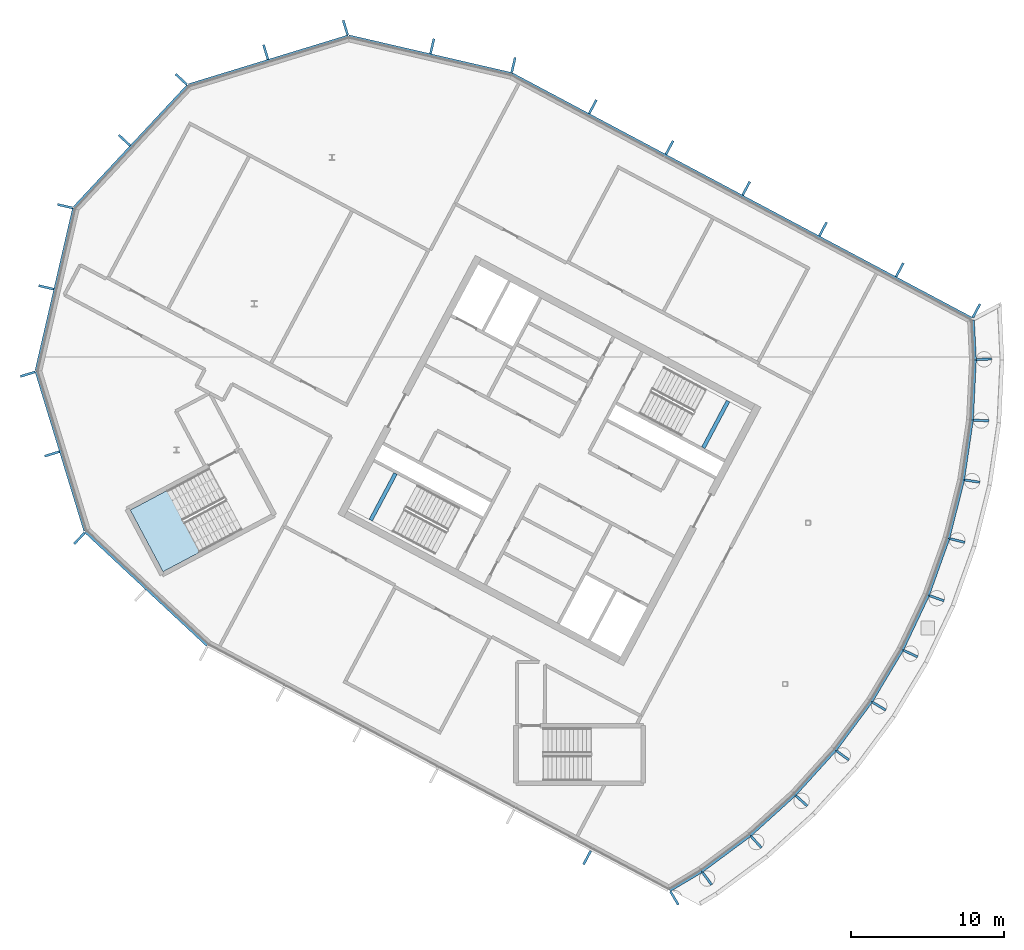
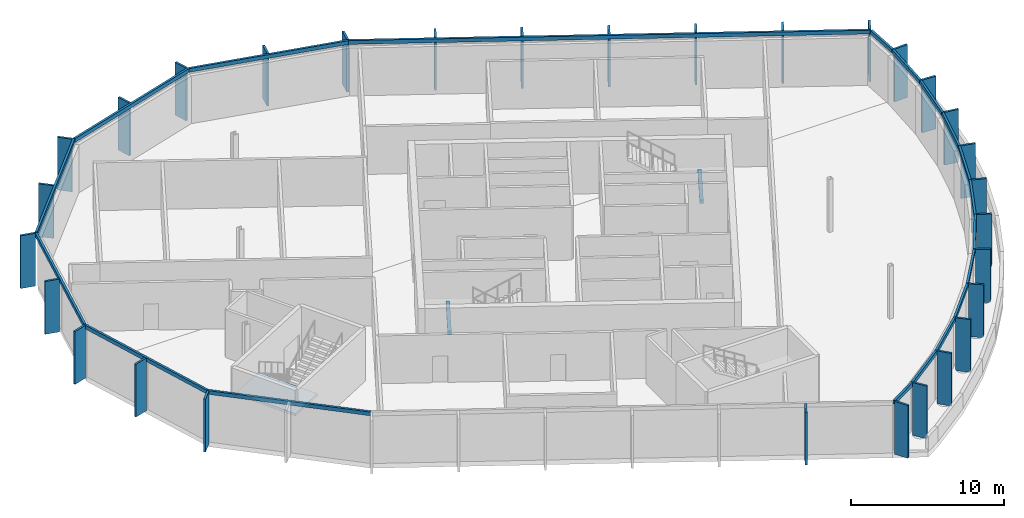
# One storey, part 4 of 16: 49 members, 2 beams, 1 slab, 21 elements without a shape of their own.
"""IFC4 building model written with IfcOpenShell, lengths in metres."""

import ifcopenshell
import ifcopenshell.guid

model = None  # the IFC model being written
_history = None  # IfcOwnerHistory: only IFC2X3 demands one
_inside = {}  # id of a spatial element -> (the spatial element, [elements in it])
_under = {}  # id of a project, library or spatial element -> (it, [spatial elements below it])
_declared = {}  # id of a project -> (the project, [libraries it declares])
_typed = {}  # id of a type object -> (the type object, [elements of that type])
_made_of = {}  # id of a material, layer set ... -> (it, [elements and type objects made of it])


def new_model(schema):
    """Start an empty IFC model of exactly this schema.

    Asked for "IFC4X3", IfcOpenShell would pick the latest addendum, in which some entities
    have other attributes; the version numbers below select the first issue.
    IFC2X3 requires an IfcOwnerHistory on every rooted entity: one is made here for all.
    """
    global model, _history
    if schema == "IFC4X3":
        model = ifcopenshell.file(schema_version=(4, 3, 0, 0))
    else:
        model = ifcopenshell.file(schema=schema)
    _inside.clear()
    _under.clear()
    _declared.clear()
    _typed.clear()
    _made_of.clear()
    _history = None
    if model.schema == "IFC2X3":
        org = make("IfcOrganization", Name="unknown")
        user = make(
            "IfcPersonAndOrganization",
            ThePerson=make("IfcPerson", FamilyName="unknown"),
            TheOrganization=org,
        )
        app = make(
            "IfcApplication",
            ApplicationDeveloper=org,
            Version="unknown",
            ApplicationFullName="unknown",
            ApplicationIdentifier="unknown",
        )
        _history = make(
            "IfcOwnerHistory",
            OwningUser=user,
            OwningApplication=app,
            ChangeAction="ADDED",
            CreationDate=0,
        )
    return model


def make(cls, **values):
    """One entity of the class cls with the attributes given. An attribute that is None is left unset."""
    return model.create_entity(
        cls, **{name: value for name, value in values.items() if value is not None}
    )


def rooted(cls, **values):
    """An entity with a GlobalId (a new one), such as an element, a storey or a relation."""
    return make(cls, GlobalId=ifcopenshell.guid.new(), OwnerHistory=_history, **values)


def si_unit(unit_type, name, prefix=None):
    """IfcSIUnit, for example si_unit("LENGTHUNIT", "METRE", prefix="MILLI")."""
    return make("IfcSIUnit", UnitType=unit_type, Prefix=prefix, Name=name)


def assignment(units):
    """IfcUnitAssignment: the units of a project."""
    return None if units is None else make("IfcUnitAssignment", Units=units)


def point(xyz):
    """IfcCartesianPoint."""
    return None if xyz is None else make("IfcCartesianPoint", Coordinates=xyz)


def direction(xyz):
    """IfcDirection."""
    return None if xyz is None else make("IfcDirection", DirectionRatios=xyz)


def frame(location, z_axis=None, x_axis=None):
    """IfcAxis2Placement3D, a coordinate frame: its origin and axes. An axis left out is left unset."""
    return make(
        "IfcAxis2Placement3D",
        Location=point(location),
        Axis=direction(z_axis),
        RefDirection=direction(x_axis),
    )


def frame_2d(location, x_axis=None):
    """IfcAxis2Placement2D, a coordinate frame in the plane: its origin and x axis."""
    return make(
        "IfcAxis2Placement2D", Location=point(location), RefDirection=direction(x_axis)
    )


def origin():
    """The frame at (0, 0, 0) with its axes left unset."""
    return frame((0.0, 0.0, 0.0))


def origin_2d():
    """The frame at (0, 0) in the plane with its x axis left unset."""
    return frame_2d((0.0, 0.0))


def place(relative_to, where):
    """IfcLocalPlacement: puts the frame where relative to a parent placement (None: the world)."""
    return make(
        "IfcLocalPlacement", PlacementRelTo=relative_to, RelativePlacement=where
    )


def context(
    kind, dimensions, precision=None, world=None, true_north=None, identifier=None
):
    """IfcGeometricRepresentationContext, for example the 3D "Model" context."""
    return make(
        "IfcGeometricRepresentationContext",
        ContextIdentifier=identifier,
        ContextType=kind,
        CoordinateSpaceDimension=dimensions,
        Precision=precision,
        WorldCoordinateSystem=world,
        TrueNorth=true_north,
    )


def subcontext(parent, identifier, kind, view, scale=None):
    """IfcGeometricRepresentationSubContext, for example "Body" below "Model"."""
    return make(
        "IfcGeometricRepresentationSubContext",
        ContextIdentifier=identifier,
        ContextType=kind,
        ParentContext=parent,
        TargetScale=scale,
        TargetView=view,
    )


def project(units=None, contexts=None):
    """IfcProject with its units and contexts."""
    return rooted(
        "IfcProject",
        Name="project",
        RepresentationContexts=contexts,
        UnitsInContext=assignment(units),
    )


def spatial(cls, under=None, at=None, **own):
    """A site, building, storey or space (cls), placed at a placement, below another one or the project."""
    s = rooted(cls, ObjectPlacement=at, **own)
    if under is not None:
        _under.setdefault(under.id(), (under, []))[1].append(s)
    return s


def polyline(points):
    """IfcPolyline through the points."""
    return make("IfcPolyline", Points=[point(p) for p in points])


def profile(cls, at=None, kind="AREA", **sizes):
    """A parametric profile (cls). Its sizes go by their IFC names, for example OverallWidth=200.0."""
    return make(cls, ProfileType=kind, Position=at, **sizes)


def rectangle(**sizes):
    """IfcRectangleProfileDef."""
    return profile("IfcRectangleProfileDef", **sizes)


def outline(outer, holes=None, kind="AREA"):
    """IfcArbitraryClosedProfileDef: a profile drawn as a closed curve; with holes, ...WithVoids."""
    if holes is None:
        return make("IfcArbitraryClosedProfileDef", ProfileType=kind, OuterCurve=outer)
    return make(
        "IfcArbitraryProfileDefWithVoids",
        ProfileType=kind,
        OuterCurve=outer,
        InnerCurves=holes,
    )


def extrude(swept, where, along, depth):
    """IfcExtrudedAreaSolid: the profile swept, set in the frame where, extruded along a direction by depth."""
    return make(
        "IfcExtrudedAreaSolid",
        SweptArea=swept,
        Position=where,
        ExtrudedDirection=direction(along),
        Depth=depth,
    )


def shape(context_of_items, identifier, shape_type, items):
    """IfcShapeRepresentation: the items that make up one representation, for example the "Body"."""
    return make(
        "IfcShapeRepresentation",
        ContextOfItems=context_of_items,
        RepresentationIdentifier=identifier,
        RepresentationType=shape_type,
        Items=items,
    )


def material(Name=None, Category=None):
    """IfcMaterial."""
    return make("IfcMaterial", Name=Name, Category=Category)


def layer(
    of_material, thickness, ventilated=None, Name=None, Category=None, Priority=None
):
    """IfcMaterialLayer: one layer of a wall or slab, of a material (None: an air gap)."""
    return make(
        "IfcMaterialLayer",
        Material=of_material,
        LayerThickness=thickness,
        IsVentilated=ventilated,
        Name=Name,
        Category=Category,
        Priority=Priority,
    )


def layer_set(layers, Name=None):
    """IfcMaterialLayerSet."""
    return make("IfcMaterialLayerSet", MaterialLayers=layers, LayerSetName=Name)


def material_profile(
    of_material, cross_section, Name=None, Category=None, Priority=None
):
    """IfcMaterialProfile: a cross section and its material."""
    return make(
        "IfcMaterialProfile",
        Name=Name,
        Material=of_material,
        Profile=cross_section,
        Priority=Priority,
        Category=Category,
    )


def profile_set(profiles, Name=None, composite=None):
    """IfcMaterialProfileSet."""
    return make(
        "IfcMaterialProfileSet",
        Name=Name,
        MaterialProfiles=profiles,
        CompositeProfile=composite,
    )


def made_of(thing, what):
    """Note that an element or type object is made of a material, layer set ...; save() writes the relation."""
    if what is not None:
        _made_of.setdefault(what.id(), (what, []))[1].append(thing)
    return thing


def type_object(cls, material=None, **own):
    """A type object (cls), such as IfcWallType, which elements share."""
    return made_of(rooted(cls, **own), material)


def element(
    cls,
    number,
    at=None,
    inside=None,
    cuts=None,
    type_object=None,
    material=None,
    context=None,
    identifier="Body",
    shape_type=None,
    held_by="IfcProductDefinitionShape",
    body=None,
    shapes=None,
    **own,
):
    """One element of the class cls, such as IfcWall. Its Tag is "e" and its number.

    at: its placement. inside: the storey or other place that contains it. cuts: it is an
    opening in that element (IfcRelVoidsElement). A single representation is given by context,
    identifier, shape_type and body (its items); several are given by shapes. held_by: the class
    of the entity that holds the representations. save() writes the other relations.
    """
    e = rooted(cls, Tag="e%d" % number, ObjectPlacement=at, **own)
    if body is not None:
        shapes = [shape(context, identifier, shape_type, body)]
    if shapes is not None:
        e.Representation = make(held_by, Representations=shapes)
    if inside is not None:
        _inside.setdefault(inside.id(), (inside, []))[1].append(e)
    if cuts is not None:
        rooted(
            "IfcRelVoidsElement", RelatingBuildingElement=cuts, RelatedOpeningElement=e
        )
    if type_object is not None:
        _typed.setdefault(type_object.id(), (type_object, []))[1].append(e)
    return made_of(e, material)


def aggregate(whole, parts):
    """IfcRelAggregates: a whole, such as a stair, and the parts it consists of."""
    return rooted("IfcRelAggregates", RelatingObject=whole, RelatedObjects=parts)


def save(model, path):
    """Write the relations noted so far, then the file.

    IfcRelAggregates (storeys below a building ...), IfcRelContainedInSpatialStructure (elements
    in a storey), IfcRelDefinesByType, IfcRelAssociatesMaterial and IfcRelDeclares: one each for
    every whole, place, type object, material and project.
    """
    for whole, parts in _under.values():
        aggregate(whole, parts)
    for where, things in _inside.values():
        rooted(
            "IfcRelContainedInSpatialStructure",
            RelatedElements=things,
            RelatingStructure=where,
        )
    for kind, things in _typed.values():
        rooted("IfcRelDefinesByType", RelatedObjects=things, RelatingType=kind)
    for what, things in _made_of.values():
        rooted("IfcRelAssociatesMaterial", RelatedObjects=things, RelatingMaterial=what)
    for by, libraries in _declared.values():
        rooted("IfcRelDeclares", RelatingContext=by, RelatedDefinitions=libraries)
    model.write(path)


model = new_model("IFC4")

# Units and contexts
model_context = context("Model", 3, precision=1e-05, world=origin(), true_north=direction((0.0, 1.0)))
body_context = subcontext(model_context, "Body", "Model", "MODEL_VIEW")
ifc_project = project(units=[si_unit("LENGTHUNIT", "METRE"), si_unit("AREAUNIT", "SQUARE_METRE"), si_unit("VOLUMEUNIT", "CUBIC_METRE"), si_unit("PLANEANGLEUNIT", "RADIAN"), si_unit("MASSUNIT", "GRAM", prefix="KILO")], contexts=[model_context])

# Site, building, storey
site_placement = place(None, origin())
site = spatial("IfcSite", under=ifc_project, at=site_placement, CompositionType="ELEMENT")
building_placement = place(site_placement, origin())
building = spatial("IfcBuilding", under=site, at=building_placement, Name="Cormorant Relay Tower", CompositionType="ELEMENT")
storey_placement = place(building_placement, frame((0.0, 0.0, 340.800048828125)))
storey = spatial("IfcBuildingStorey", under=building, at=storey_placement, Name="C4", CompositionType="ELEMENT", Elevation=340.800048828125)

# Curtain wall, member
ifc_material_1 = material(Name="Aluminium 6063-T6 anodised bronze", Category="aluminium")
ifc_layer_1 = layer(ifc_material_1, 0.199951171875)
ifc_layer_set_1 = layer_set([ifc_layer_1], Name="CW3 crown screen wall")
curtain_wall_type = type_object("IfcCurtainWallType", Name="CW3 crown screen wall", PredefinedType="NOTDEFINED", material=ifc_layer_set_1)
curtain_wall_1_placement = place(storey_placement, origin())
curtain_wall_1 = element("IfcCurtainWall", 1, at=curtain_wall_1_placement, inside=storey, type_object=curtain_wall_type, Name="CW3 curtain wall 1", PredefinedType="NOTDEFINED")
ifc_material_2 = material(Name="Aluminium 6063-T6 anodised bronze", Category="aluminium")
ifc_material_profile_1 = material_profile(ifc_material_2, rectangle(XDim=0.14990234375, YDim=1.0, at=origin_2d()), Name="AL 150x1000")
ifc_profile_set_1 = profile_set([ifc_material_profile_1], Name="Aluminium 6063-T6 anodised bronze")
member_type_1 = type_object("IfcMemberType", Name="CW3 bronze fin mullion 150 x 1000", PredefinedType="MULLION", material=ifc_profile_set_1)
member_1_placement = place(storey_placement, frame((-24.910400390625, -11.331787109375, 0.0), z_axis=(0.0, 0.0, 1.0), x_axis=(0.882947592859, -0.469471562786, 0.0)))
member_1 = element("IfcMember", 2, at=member_1_placement, type_object=member_type_1, Name="CW3 fin 1.6", PredefinedType="MULLION", context=body_context, shape_type="SweptSolid", body=[
    extrude(rectangle(XDim=0.14990234375, YDim=1.0, at=origin_2d()), origin(), (0.0, 0.0, 1.0), 4.199951171875),
])
aggregate(curtain_wall_1, [member_1])

curtain_wall_2_placement = place(storey_placement, origin())
curtain_wall_2 = element("IfcCurtainWall", 3, at=curtain_wall_2_placement, inside=storey, type_object=curtain_wall_type, Name="CW3 curtain wall 2", PredefinedType="NOTDEFINED")
member_2_placement = place(storey_placement, frame((-19.219970703125, -13.9736328125, 0.0), z_axis=(0.0, 0.0, 1.0), x_axis=(0.85772861, 0.514102744193, 0.0)))
member_2 = element("IfcMember", 4, at=member_2_placement, type_object=member_type_1, Name="CW3 fin 2.1", PredefinedType="MULLION", context=body_context, shape_type="SweptSolid", body=[
    extrude(rectangle(XDim=0.14990234375, YDim=1.0, at=origin_2d()), origin(), (0.0, 0.0, 1.0), 4.199951171875),
])

curtain_wall_3_placement = place(storey_placement, origin())
curtain_wall_3 = element("IfcCurtainWall", 5, at=curtain_wall_3_placement, inside=storey, type_object=curtain_wall_type, Name="CW3 curtain wall 3", PredefinedType="NOTDEFINED")
member_3_placement = place(storey_placement, frame((-17.0927734375, -12.69482421875, 0.0), z_axis=(0.0, 0.0, 1.0), x_axis=(0.803207531481, 0.595699304492, 0.0)))
member_3 = element("IfcMember", 6, at=member_3_placement, type_object=member_type_1, Name="CW3 fin 3.1", PredefinedType="MULLION", context=body_context, shape_type="SweptSolid", body=[
    extrude(rectangle(XDim=0.14990234375, YDim=1.0, at=origin_2d()), origin(), (0.0, 0.0, 1.0), 4.199951171875),
])

curtain_wall_4_placement = place(storey_placement, origin())
curtain_wall_4 = element("IfcCurtainWall", 7, at=curtain_wall_4_placement, inside=storey, type_object=curtain_wall_type, Name="CW3 curtain wall 4", PredefinedType="NOTDEFINED")
member_4_placement = place(storey_placement, frame((-13.88671875, -10.31298828125, 0.0), z_axis=(0.0, 0.0, 1.0), x_axis=(0.740951125355, 0.671558954847, 0.0)))
member_4 = element("IfcMember", 8, at=member_4_placement, type_object=member_type_1, Name="CW3 fin 4.1", PredefinedType="MULLION", context=body_context, shape_type="SweptSolid", body=[
    extrude(rectangle(XDim=0.14990234375, YDim=1.0, at=origin_2d()), origin(), (0.0, 0.0, 1.0), 4.199951171875),
])

curtain_wall_5_placement = place(storey_placement, origin())
curtain_wall_5 = element("IfcCurtainWall", 9, at=curtain_wall_5_placement, inside=storey, type_object=curtain_wall_type, Name="CW3 curtain wall 5", PredefinedType="NOTDEFINED")
member_5_placement = place(storey_placement, frame((-10.9296875, -7.628173828125, 0.0), z_axis=(0.0, 0.0, 1.0), x_axis=(0.671558954847, 0.740951125355, 0.0)))
member_5 = element("IfcMember", 10, at=member_5_placement, type_object=member_type_1, Name="CW3 fin 5.1", PredefinedType="MULLION", context=body_context, shape_type="SweptSolid", body=[
    extrude(rectangle(XDim=0.14990234375, YDim=1.0, at=origin_2d()), origin(), (0.0, 0.0, 1.0), 4.199951171875),
])

curtain_wall_6_placement = place(storey_placement, origin())
curtain_wall_6 = element("IfcCurtainWall", 11, at=curtain_wall_6_placement, inside=storey, type_object=curtain_wall_type, Name="CW3 curtain wall 6", PredefinedType="NOTDEFINED")
member_6_placement = place(storey_placement, frame((-8.25, -4.66650390625, 0.0), z_axis=(0.0, 0.0, 1.0), x_axis=(0.595699304492, 0.803207531481, 0.0)))
member_6 = element("IfcMember", 12, at=member_6_placement, type_object=member_type_1, Name="CW3 fin 6.1", PredefinedType="MULLION", context=body_context, shape_type="SweptSolid", body=[
    extrude(rectangle(XDim=0.14990234375, YDim=1.0, at=origin_2d()), origin(), (0.0, 0.0, 1.0), 4.199951171875),
])

curtain_wall_7_placement = place(storey_placement, origin())
curtain_wall_7 = element("IfcCurtainWall", 13, at=curtain_wall_7_placement, inside=storey, type_object=curtain_wall_type, Name="CW3 curtain wall 7", PredefinedType="NOTDEFINED")
member_7_placement = place(storey_placement, frame((-5.873291015625, -1.45654296875, 0.0), z_axis=(0.0, 0.0, 1.0), x_axis=(0.514102744193, 0.85772861, 0.0)))
member_7 = element("IfcMember", 14, at=member_7_placement, type_object=member_type_1, Name="CW3 fin 7.1", PredefinedType="MULLION", context=body_context, shape_type="SweptSolid", body=[
    extrude(rectangle(XDim=0.14990234375, YDim=1.0, at=origin_2d()), origin(), (0.0, 0.0, 1.0), 4.199951171875),
])

curtain_wall_8_placement = place(storey_placement, origin())
curtain_wall_8 = element("IfcCurtainWall", 15, at=curtain_wall_8_placement, inside=storey, type_object=curtain_wall_type, Name="CW3 curtain wall 8", PredefinedType="NOTDEFINED")
member_8_placement = place(storey_placement, frame((-3.822998046875, 1.97119140625, 0.0), z_axis=(0.0, 0.0, 1.0), x_axis=(0.42755509343, 0.903989293123, 0.0)))
member_8 = element("IfcMember", 16, at=member_8_placement, type_object=member_type_1, Name="CW3 fin 8.1", PredefinedType="MULLION", context=body_context, shape_type="SweptSolid", body=[
    extrude(rectangle(XDim=0.14990234375, YDim=1.0, at=origin_2d()), origin(), (0.0, 0.0, 1.0), 4.199951171875),
])

curtain_wall_9_placement = place(storey_placement, origin())
curtain_wall_9 = element("IfcCurtainWall", 17, at=curtain_wall_9_placement, inside=storey, type_object=curtain_wall_type, Name="CW3 curtain wall 9", PredefinedType="NOTDEFINED")
member_9_placement = place(storey_placement, frame((-2.118408203125, 5.5830078125, 0.0), z_axis=(0.0, 0.0, 1.0), x_axis=(0.336889853392, 0.941544065183, 0.0)))
member_9 = element("IfcMember", 18, at=member_9_placement, type_object=member_type_1, Name="CW3 fin 9.1", PredefinedType="MULLION", context=body_context, shape_type="SweptSolid", body=[
    extrude(rectangle(XDim=0.14990234375, YDim=1.0, at=origin_2d()), origin(), (0.0, 0.0, 1.0), 4.199951171875),
])

curtain_wall_10_placement = place(storey_placement, origin())
curtain_wall_10 = element("IfcCurtainWall", 19, at=curtain_wall_10_placement, inside=storey, type_object=curtain_wall_type, Name="CW3 curtain wall 10", PredefinedType="NOTDEFINED")
member_10_placement = place(storey_placement, frame((-0.77587890625, 9.3447265625, 0.0), z_axis=(0.0, 0.0, 1.0), x_axis=(0.242980179903, 0.970031253195, 0.0)))
member_10 = element("IfcMember", 20, at=member_10_placement, type_object=member_type_1, Name="CW3 fin 10.1", PredefinedType="MULLION", context=body_context, shape_type="SweptSolid", body=[
    extrude(rectangle(XDim=0.14990234375, YDim=1.0, at=origin_2d()), origin(), (0.0, 0.0, 1.0), 4.199951171875),
])

curtain_wall_11_placement = place(storey_placement, origin())
curtain_wall_11 = element("IfcCurtainWall", 21, at=curtain_wall_11_placement, inside=storey, type_object=curtain_wall_type, Name="CW3 curtain wall 11", PredefinedType="NOTDEFINED")
member_11_placement = place(storey_placement, frame((0.191162109375, 13.219970703125, 0.0), z_axis=(0.0, 0.0, 1.0), x_axis=(0.146730474455, 0.989176509965, 0.0)))
member_11 = element("IfcMember", 22, at=member_11_placement, type_object=member_type_1, Name="CW3 fin 11.1", PredefinedType="MULLION", context=body_context, shape_type="SweptSolid", body=[
    extrude(rectangle(XDim=0.14990234375, YDim=1.0, at=origin_2d()), origin(), (0.0, 0.0, 1.0), 4.199951171875),
])

curtain_wall_12_placement = place(storey_placement, origin())
curtain_wall_12 = element("IfcCurtainWall", 23, at=curtain_wall_12_placement, inside=storey, type_object=curtain_wall_type, Name="CW3 curtain wall 12", PredefinedType="NOTDEFINED")
member_12_placement = place(storey_placement, frame((0.77392578125, 17.171142578125, 0.0), z_axis=(0.0, 0.0, 1.0), x_axis=(0.049067674327, 0.998795456205, 0.0)))
member_12 = element("IfcMember", 24, at=member_12_placement, type_object=member_type_1, Name="CW3 fin 12.1", PredefinedType="MULLION", context=body_context, shape_type="SweptSolid", body=[
    extrude(rectangle(XDim=0.14990234375, YDim=1.0, at=origin_2d()), origin(), (0.0, 0.0, 1.0), 4.199951171875),
])

curtain_wall_13_placement = place(storey_placement, origin())
curtain_wall_13 = element("IfcCurtainWall", 25, at=curtain_wall_13_placement, inside=storey, type_object=curtain_wall_type, Name="CW3 curtain wall 13", PredefinedType="NOTDEFINED")
member_13_placement = place(storey_placement, frame((0.966552734375, 21.16064453125, 0.0), z_axis=(0.0, 0.0, 1.0), x_axis=(-0.049067674327, 0.998795456205, 0.0)))
member_13 = element("IfcMember", 26, at=member_13_placement, type_object=member_type_1, Name="CW3 fin 13.1", PredefinedType="MULLION", context=body_context, shape_type="SweptSolid", body=[
    extrude(rectangle(XDim=0.14990234375, YDim=1.0, at=origin_2d()), origin(), (0.0, 0.0, 1.0), 4.199951171875),
])

# Curtain wall, members
curtain_wall_14_placement = place(storey_placement, origin())
curtain_wall_14 = element("IfcCurtainWall", 27, at=curtain_wall_14_placement, inside=storey, type_object=curtain_wall_type, Name="CW3 curtain wall 14", PredefinedType="NOTDEFINED")
member_14_placement = place(storey_placement, frame((0.468994140625, 24.327392578125, 0.0), z_axis=(0.0, 0.0, 1.0), x_axis=(-0.882947592859, 0.469471562786, 0.0)))
member_14 = element("IfcMember", 28, at=member_14_placement, type_object=member_type_1, Name="CW3 fin 14.1", PredefinedType="MULLION", context=body_context, shape_type="SweptSolid", body=[
    extrude(rectangle(XDim=0.14990234375, YDim=1.0, at=origin_2d()), origin(), (0.0, 0.0, 1.0), 4.199951171875),
])
member_15_placement = place(storey_placement, frame((-4.533203125, 26.9873046875, 0.0), z_axis=(0.0, 0.0, 1.0), x_axis=(-0.882947592859, 0.469471562786, 0.0)))
member_15 = element("IfcMember", 29, at=member_15_placement, type_object=member_type_1, Name="CW3 fin 14.2", PredefinedType="MULLION", context=body_context, shape_type="SweptSolid", body=[
    extrude(rectangle(XDim=0.14990234375, YDim=1.0, at=origin_2d()), origin(), (0.0, 0.0, 1.0), 4.199951171875),
])
member_16_placement = place(storey_placement, frame((-9.53564453125, 29.64697265625, 0.0), z_axis=(0.0, 0.0, 1.0), x_axis=(-0.882947592859, 0.469471562786, 0.0)))
member_16 = element("IfcMember", 30, at=member_16_placement, type_object=member_type_1, Name="CW3 fin 14.3", PredefinedType="MULLION", context=body_context, shape_type="SweptSolid", body=[
    extrude(rectangle(XDim=0.14990234375, YDim=1.0, at=origin_2d()), origin(), (0.0, 0.0, 1.0), 4.199951171875),
])
member_17_placement = place(storey_placement, frame((-14.5380859375, 32.306884765625, 0.0), z_axis=(0.0, 0.0, 1.0), x_axis=(-0.882947592859, 0.469471562786, 0.0)))
member_17 = element("IfcMember", 31, at=member_17_placement, type_object=member_type_1, Name="CW3 fin 14.4", PredefinedType="MULLION", context=body_context, shape_type="SweptSolid", body=[
    extrude(rectangle(XDim=0.14990234375, YDim=1.0, at=origin_2d()), origin(), (0.0, 0.0, 1.0), 4.199951171875),
])
member_18_placement = place(storey_placement, frame((-19.540283203125, 34.966552734375, 0.0), z_axis=(0.0, 0.0, 1.0), x_axis=(-0.882947592859, 0.469471562786, 0.0)))
member_18 = element("IfcMember", 32, at=member_18_placement, type_object=member_type_1, Name="CW3 fin 14.5", PredefinedType="MULLION", context=body_context, shape_type="SweptSolid", body=[
    extrude(rectangle(XDim=0.14990234375, YDim=1.0, at=origin_2d()), origin(), (0.0, 0.0, 1.0), 4.199951171875),
])
member_19_placement = place(storey_placement, frame((-24.542724609375, 37.62646484375, 0.0), z_axis=(0.0, 0.0, 1.0), x_axis=(-0.882947592859, 0.469471562786, 0.0)))
member_19 = element("IfcMember", 33, at=member_19_placement, type_object=member_type_1, Name="CW3 fin 14.6", PredefinedType="MULLION", context=body_context, shape_type="SweptSolid", body=[
    extrude(rectangle(XDim=0.14990234375, YDim=1.0, at=origin_2d()), origin(), (0.0, 0.0, 1.0), 4.199951171875),
])

curtain_wall_15_placement = place(storey_placement, origin())
curtain_wall_15 = element("IfcCurtainWall", 34, at=curtain_wall_15_placement, inside=storey, type_object=curtain_wall_type, Name="CW3 curtain wall 15", PredefinedType="NOTDEFINED")
member_20_placement = place(storey_placement, frame((-29.71630859375, 40.35009765625, 0.0), z_axis=(0.0, 0.0, 1.0), x_axis=(-0.974370064785, 0.224951054344, 0.0)))
member_20 = element("IfcMember", 35, at=member_20_placement, type_object=member_type_1, Name="CW3 fin 15.1", PredefinedType="MULLION", context=body_context, shape_type="SweptSolid", body=[
    extrude(rectangle(XDim=0.14990234375, YDim=1.0, at=origin_2d()), origin(), (0.0, 0.0, 1.0), 4.199951171875),
])
member_21_placement = place(storey_placement, frame((-35.01220703125, 41.57275390625, 0.0), z_axis=(0.0, 0.0, 1.0), x_axis=(-0.974370064785, 0.224951054344, 0.0)))
member_21 = element("IfcMember", 36, at=member_21_placement, type_object=member_type_1, Name="CW3 fin 15.2", PredefinedType="MULLION", context=body_context, shape_type="SweptSolid", body=[
    extrude(rectangle(XDim=0.14990234375, YDim=1.0, at=origin_2d()), origin(), (0.0, 0.0, 1.0), 4.199951171875),
])

curtain_wall_16_placement = place(storey_placement, origin())
curtain_wall_16 = element("IfcCurtainWall", 37, at=curtain_wall_16_placement, inside=storey, type_object=curtain_wall_type, Name="CW3 curtain wall 16", PredefinedType="NOTDEFINED")
member_22_placement = place(storey_placement, frame((-40.670166015625, 42.78271484375, 0.0), z_axis=(0.0, 0.0, 1.0), x_axis=(-0.956304755963, -0.292371704723, 0.0)))
member_22 = element("IfcMember", 38, at=member_22_placement, type_object=member_type_1, Name="CW3 fin 16.1", PredefinedType="MULLION", context=body_context, shape_type="SweptSolid", body=[
    extrude(rectangle(XDim=0.14990234375, YDim=1.0, at=origin_2d()), origin(), (0.0, 0.0, 1.0), 4.199951171875),
])
member_23_placement = place(storey_placement, frame((-45.867919921875, 41.193603515625, 0.0), z_axis=(0.0, 0.0, 1.0), x_axis=(-0.956304755963, -0.292371704723, 0.0)))
member_23 = element("IfcMember", 39, at=member_23_placement, type_object=member_type_1, Name="CW3 fin 16.2", PredefinedType="MULLION", context=body_context, shape_type="SweptSolid", body=[
    extrude(rectangle(XDim=0.14990234375, YDim=1.0, at=origin_2d()), origin(), (0.0, 0.0, 1.0), 4.199951171875),
])

curtain_wall_17_placement = place(storey_placement, origin())
curtain_wall_17 = element("IfcCurtainWall", 40, at=curtain_wall_17_placement, inside=storey, type_object=curtain_wall_type, Name="CW3 curtain wall 17", PredefinedType="NOTDEFINED")
member_24_placement = place(storey_placement, frame((-51.372802734375, 39.41259765625, 0.0), z_axis=(0.0, 0.0, 1.0), x_axis=(-0.681998360062, -0.731353701619, 0.0)))
member_24 = element("IfcMember", 41, at=member_24_placement, type_object=member_type_1, Name="CW3 fin 17.1", PredefinedType="MULLION", context=body_context, shape_type="SweptSolid", body=[
    extrude(rectangle(XDim=0.14990234375, YDim=1.0, at=origin_2d()), origin(), (0.0, 0.0, 1.0), 4.199951171875),
])
member_25_placement = place(storey_placement, frame((-55.07958984375, 35.4375, 0.0), z_axis=(0.0, 0.0, 1.0), x_axis=(-0.681998360062, -0.731353701619, 0.0)))
member_25 = element("IfcMember", 42, at=member_25_placement, type_object=member_type_1, Name="CW3 fin 17.2", PredefinedType="MULLION", context=body_context, shape_type="SweptSolid", body=[
    extrude(rectangle(XDim=0.14990234375, YDim=1.0, at=origin_2d()), origin(), (0.0, 0.0, 1.0), 4.199951171875),
])

curtain_wall_18_placement = place(storey_placement, origin())
curtain_wall_18 = element("IfcCurtainWall", 43, at=curtain_wall_18_placement, inside=storey, type_object=curtain_wall_type, Name="CW3 curtain wall 18", PredefinedType="NOTDEFINED")
member_26_placement = place(storey_placement, frame((-58.95654296875, 31.142578125, 0.0), z_axis=(0.0, 0.0, 1.0), x_axis=(-0.224951054344, -0.974370064785, 0.0)))
member_26 = element("IfcMember", 44, at=member_26_placement, type_object=member_type_1, Name="CW3 fin 18.1", PredefinedType="MULLION", context=body_context, shape_type="SweptSolid", body=[
    extrude(rectangle(XDim=0.14990234375, YDim=1.0, at=origin_2d()), origin(), (0.0, 0.0, 1.0), 4.199951171875),
])
member_27_placement = place(storey_placement, frame((-60.17919921875, 25.8466796875, 0.0), z_axis=(0.0, 0.0, 1.0), x_axis=(-0.224951054344, -0.974370064785, 0.0)))
member_27 = element("IfcMember", 45, at=member_27_placement, type_object=member_type_1, Name="CW3 fin 18.2", PredefinedType="MULLION", context=body_context, shape_type="SweptSolid", body=[
    extrude(rectangle(XDim=0.14990234375, YDim=1.0, at=origin_2d()), origin(), (0.0, 0.0, 1.0), 4.199951171875),
])

curtain_wall_19_placement = place(storey_placement, origin())
curtain_wall_19 = element("IfcCurtainWall", 46, at=curtain_wall_19_placement, inside=storey, type_object=curtain_wall_type, Name="CW3 curtain wall 19", PredefinedType="NOTDEFINED")
member_28_placement = place(storey_placement, frame((-61.389404296875, 20.188720703125, 0.0), z_axis=(0.0, 0.0, 1.0), x_axis=(0.292371704723, -0.956304755963, 0.0)))
member_28 = element("IfcMember", 47, at=member_28_placement, type_object=member_type_1, Name="CW3 fin 19.1", PredefinedType="MULLION", context=body_context, shape_type="SweptSolid", body=[
    extrude(rectangle(XDim=0.14990234375, YDim=1.0, at=origin_2d()), origin(), (0.0, 0.0, 1.0), 4.199951171875),
])
member_29_placement = place(storey_placement, frame((-59.80029296875, 14.990966796875, 0.0), z_axis=(0.0, 0.0, 1.0), x_axis=(0.292371704723, -0.956304755963, 0.0)))
member_29 = element("IfcMember", 48, at=member_29_placement, type_object=member_type_1, Name="CW3 fin 19.2", PredefinedType="MULLION", context=body_context, shape_type="SweptSolid", body=[
    extrude(rectangle(XDim=0.14990234375, YDim=1.0, at=origin_2d()), origin(), (0.0, 0.0, 1.0), 4.199951171875),
])

# Curtain wall, member
curtain_wall_20_placement = place(storey_placement, origin())
curtain_wall_20 = element("IfcCurtainWall", 49, at=curtain_wall_20_placement, inside=storey, type_object=curtain_wall_type, Name="CW3 curtain wall 20", PredefinedType="NOTDEFINED")
member_30_placement = place(storey_placement, frame((-58.01904296875, 9.486083984375, 0.0), z_axis=(0.0, 0.0, 1.0), x_axis=(0.731353701619, -0.681998360062, 0.0)))
member_30 = element("IfcMember", 50, at=member_30_placement, type_object=member_type_1, Name="CW3 fin 20.1", PredefinedType="MULLION", context=body_context, shape_type="SweptSolid", body=[
    extrude(rectangle(XDim=0.14990234375, YDim=1.0, at=origin_2d()), origin(), (0.0, 0.0, 1.0), 4.199951171875),
])

# Member
ifc_material_3 = material(Name="Aluminium 6063-T6 anodised bronze", Category="aluminium")
ifc_material_profile_2 = material_profile(ifc_material_3, rectangle(XDim=0.159912109375, YDim=0.300048828125, at=origin_2d()), Name="AL 160x300")
ifc_profile_set_2 = profile_set([ifc_material_profile_2], Name="Aluminium 6063-T6 anodised bronze")
member_type_2 = type_object("IfcMemberType", Name="CW3 bronze transom 160 x 300", PredefinedType="USERDEFINED", material=ifc_profile_set_2)
member_31_placement = place(storey_placement, frame((-19.51806640625, -13.476318359375, 4.050048828125), z_axis=(0.857733829955, 0.514094035125, 0.0), x_axis=(-0.514094035125, 0.857733829955, 0.0)))
member_31 = element("IfcMember", 51, at=member_31_placement, type_object=member_type_2, Name="CW3 transom 2", ObjectType="TRANSOM", PredefinedType="USERDEFINED", context=body_context, shape_type="SweptSolid", body=[
    extrude(rectangle(XDim=0.159912109375, YDim=0.300048828125, at=origin_2d()), origin(), (0.0, 0.0, 1.0), 2.413330078125),
])

aggregate(curtain_wall_2, [member_2, member_31])

member_32_placement = place(storey_placement, frame((-17.438232421875, -12.22900390625, 4.050048828125), z_axis=(0.803197864337, 0.595712338905, 0.0), x_axis=(-0.595712338905, 0.803197864337, 0.0)))
member_32 = element("IfcMember", 52, at=member_32_placement, type_object=member_type_2, Name="CW3 transom 3", ObjectType="TRANSOM", PredefinedType="USERDEFINED", context=body_context, shape_type="SweptSolid", body=[
    extrude(rectangle(XDim=0.159912109375, YDim=0.300048828125, at=origin_2d()), origin(), (0.0, 0.0, 1.0), 3.92529296875),
])

aggregate(curtain_wall_3, [member_3, member_32])

member_33_placement = place(storey_placement, frame((-14.2763671875, -9.883056640625, 4.050048828125), z_axis=(0.740960837859, 0.671548238594, 0.0), x_axis=(-0.671548238594, 0.740960837859, 0.0)))
member_33 = element("IfcMember", 53, at=member_33_placement, type_object=member_type_2, Name="CW3 transom 4", ObjectType="TRANSOM", PredefinedType="USERDEFINED", context=body_context, shape_type="SweptSolid", body=[
    extrude(rectangle(XDim=0.159912109375, YDim=0.300048828125, at=origin_2d()), origin(), (0.0, 0.0, 1.0), 3.92529296875),
])

aggregate(curtain_wall_4, [member_4, member_33])

member_34_placement = place(storey_placement, frame((-11.359619140625, -7.238525390625, 4.050048828125), z_axis=(0.671582384403, 0.740929889368, 0.0), x_axis=(-0.740929889368, 0.671582384403, 0.0)))
member_34 = element("IfcMember", 54, at=member_34_placement, type_object=member_type_2, Name="CW3 transom 5", ObjectType="TRANSOM", PredefinedType="USERDEFINED", context=body_context, shape_type="SweptSolid", body=[
    extrude(rectangle(XDim=0.159912109375, YDim=0.300048828125, at=origin_2d()), origin(), (0.0, 0.0, 1.0), 3.92529296875),
])

aggregate(curtain_wall_5, [member_5, member_34])

member_35_placement = place(storey_placement, frame((-8.7158203125, -4.321044921875, 4.050048828125), z_axis=(0.595712338905, 0.803197864337, 0.0), x_axis=(-0.803197864337, 0.595712338905, 0.0)))
member_35 = element("IfcMember", 55, at=member_35_placement, type_object=member_type_2, Name="CW3 transom 6", ObjectType="TRANSOM", PredefinedType="USERDEFINED", context=body_context, shape_type="SweptSolid", body=[
    extrude(rectangle(XDim=0.159912109375, YDim=0.300048828125, at=origin_2d()), origin(), (0.0, 0.0, 1.0), 3.92529296875),
])

aggregate(curtain_wall_6, [member_6, member_35])

member_36_placement = place(storey_placement, frame((-6.370849609375, -1.158203125, 4.050048828125), z_axis=(0.514102410517, 0.857728809998, 0.0), x_axis=(-0.857728809998, 0.514102410517, 0.0)))
member_36 = element("IfcMember", 56, at=member_36_placement, type_object=member_type_2, Name="CW3 transom 7", ObjectType="TRANSOM", PredefinedType="USERDEFINED", context=body_context, shape_type="SweptSolid", body=[
    extrude(rectangle(XDim=0.159912109375, YDim=0.300048828125, at=origin_2d()), origin(), (0.0, 0.0, 1.0), 3.925537109375),
])

aggregate(curtain_wall_7, [member_7, member_36])

member_37_placement = place(storey_placement, frame((-4.347412109375, 2.218994140625, 4.050048828125), z_axis=(0.427578319001, 0.903978307881, 0.0), x_axis=(-0.903978307881, 0.427578319001, 0.0)))
member_37 = element("IfcMember", 57, at=member_37_placement, type_object=member_type_2, Name="CW3 transom 8", ObjectType="TRANSOM", PredefinedType="USERDEFINED", context=body_context, shape_type="SweptSolid", body=[
    extrude(rectangle(XDim=0.159912109375, YDim=0.300048828125, at=origin_2d()), origin(), (0.0, 0.0, 1.0), 3.925537109375),
])

aggregate(curtain_wall_8, [member_8, member_37])

member_38_placement = place(storey_placement, frame((-2.66455078125, 5.778564453125, 4.050048828125), z_axis=(0.336919461654, 0.941533470652, 0.0), x_axis=(-0.941533470652, 0.336919461654, 0.0)))
member_38 = element("IfcMember", 58, at=member_38_placement, type_object=member_type_2, Name="CW3 transom 9", ObjectType="TRANSOM", PredefinedType="USERDEFINED", context=body_context, shape_type="SweptSolid", body=[
    extrude(rectangle(XDim=0.159912109375, YDim=0.300048828125, at=origin_2d()), origin(), (0.0, 0.0, 1.0), 3.92529296875),
])

aggregate(curtain_wall_9, [member_9, member_38])

member_39_placement = place(storey_placement, frame((-1.338623046875, 9.485595703125, 4.050048828125), z_axis=(0.242989243806, 0.97002898276, 0.0), x_axis=(-0.97002898276, 0.242989243806, 0.0)))
member_39 = element("IfcMember", 59, at=member_39_placement, type_object=member_type_2, Name="CW3 transom 10", ObjectType="TRANSOM", PredefinedType="USERDEFINED", context=body_context, shape_type="SweptSolid", body=[
    extrude(rectangle(XDim=0.159912109375, YDim=0.300048828125, at=origin_2d()), origin(), (0.0, 0.0, 1.0), 3.925537109375),
])

aggregate(curtain_wall_10, [member_10, member_39])

member_40_placement = place(storey_placement, frame((-0.382568359375, 13.304931640625, 4.050048828125), z_axis=(0.146713199102, 0.989179072367, 0.0), x_axis=(-0.989179072367, 0.146713199102, 0.0)))
member_40 = element("IfcMember", 60, at=member_40_placement, type_object=member_type_2, Name="CW3 transom 11", ObjectType="TRANSOM", PredefinedType="USERDEFINED", context=body_context, shape_type="SweptSolid", body=[
    extrude(rectangle(XDim=0.159912109375, YDim=0.300048828125, at=origin_2d()), origin(), (0.0, 0.0, 1.0), 3.925537109375),
])

aggregate(curtain_wall_11, [member_11, member_40])

member_41_placement = place(storey_placement, frame((0.194580078125, 17.19970703125, 4.050048828125), z_axis=(0.04907213662, 0.998795236977, 0.0), x_axis=(-0.998795236977, 0.04907213662, 0.0)))
member_41 = element("IfcMember", 61, at=member_41_placement, type_object=member_type_2, Name="CW3 transom 12", ObjectType="TRANSOM", PredefinedType="USERDEFINED", context=body_context, shape_type="SweptSolid", body=[
    extrude(rectangle(XDim=0.159912109375, YDim=0.300048828125, at=origin_2d()), origin(), (0.0, 0.0, 1.0), 3.92529296875),
])

aggregate(curtain_wall_12, [member_12, member_41])

member_42_placement = place(storey_placement, frame((0.38720703125, 21.132080078125, 4.050048828125), z_axis=(-0.049090081728, 0.998794355148, 0.0), x_axis=(-0.998794355148, -0.049090081728, 0.0)))
member_42 = element("IfcMember", 62, at=member_42_placement, type_object=member_type_2, Name="CW3 transom 13", ObjectType="TRANSOM", PredefinedType="USERDEFINED", context=body_context, shape_type="SweptSolid", body=[
    extrude(rectangle(XDim=0.159912109375, YDim=0.300048828125, at=origin_2d()), origin(), (0.0, 0.0, 1.0), 2.586181640625),
])

aggregate(curtain_wall_13, [member_13, member_42])

member_43_placement = place(storey_placement, frame((0.19677734375, 23.815185546875, 4.050048828125), z_axis=(-0.882945491351, 0.469475515126, 0.0), x_axis=(-0.469475515126, -0.882945491351, 0.0)))
member_43 = element("IfcMember", 63, at=member_43_placement, type_object=member_type_2, Name="CW3 transom 14", ObjectType="TRANSOM", PredefinedType="USERDEFINED", context=body_context, shape_type="SweptSolid", body=[
    extrude(rectangle(XDim=0.159912109375, YDim=0.300048828125, at=origin_2d()), origin(), (0.0, 0.0, 1.0), 33.9931640625),
])

aggregate(curtain_wall_14, [member_14, member_15, member_16, member_17, member_18, member_19, member_43])

member_44_placement = place(storey_placement, frame((-29.8466796875, 39.784912109375, 4.050048828125), z_axis=(-0.974365070969, 0.224972683844, 0.0), x_axis=(-0.224972683844, -0.974365070969, 0.0)))
member_44 = element("IfcMember", 64, at=member_44_placement, type_object=member_type_2, Name="CW3 transom 15", ObjectType="TRANSOM", PredefinedType="USERDEFINED", context=body_context, shape_type="SweptSolid", body=[
    extrude(rectangle(XDim=0.159912109375, YDim=0.300048828125, at=origin_2d()), origin(), (0.0, 0.0, 1.0), 10.870361328125),
])

aggregate(curtain_wall_15, [member_20, member_21, member_44])

member_45_placement = place(storey_placement, frame((-40.50048828125, 42.228271484375, 4.050048828125), z_axis=(-0.956304833932, -0.292371449698, 0.0), x_axis=(0.292371449698, -0.956304833932, 0.0)))
member_45 = element("IfcMember", 65, at=member_45_placement, type_object=member_type_2, Name="CW3 transom 16", ObjectType="TRANSOM", PredefinedType="USERDEFINED", context=body_context, shape_type="SweptSolid", body=[
    extrude(rectangle(XDim=0.159912109375, YDim=0.300048828125, at=origin_2d()), origin(), (0.0, 0.0, 1.0), 10.87060546875),
])

aggregate(curtain_wall_16, [member_22, member_23, member_45])

member_46_placement = place(storey_placement, frame((-50.94873046875, 39.01708984375, 4.050048828125), z_axis=(-0.681993299437, -0.731358420696, 0.0), x_axis=(0.731358420696, -0.681993299437, 0.0)))
member_46 = element("IfcMember", 66, at=member_46_placement, type_object=member_type_2, Name="CW3 transom 17", ObjectType="TRANSOM", PredefinedType="USERDEFINED", context=body_context, shape_type="SweptSolid", body=[
    extrude(rectangle(XDim=0.159912109375, YDim=0.300048828125, at=origin_2d()), origin(), (0.0, 0.0, 1.0), 10.870361328125),
])

aggregate(curtain_wall_17, [member_24, member_25, member_46])

member_47_placement = place(storey_placement, frame((-58.3916015625, 31.01220703125, 4.050048828125), z_axis=(-0.22495136131, -0.974369993916, 0.0), x_axis=(0.974369993916, -0.22495136131, 0.0)))
member_47 = element("IfcMember", 67, at=member_47_placement, type_object=member_type_2, Name="CW3 transom 18", ObjectType="TRANSOM", PredefinedType="USERDEFINED", context=body_context, shape_type="SweptSolid", body=[
    extrude(rectangle(XDim=0.159912109375, YDim=0.300048828125, at=origin_2d()), origin(), (0.0, 0.0, 1.0), 10.870361328125),
])

aggregate(curtain_wall_18, [member_26, member_27, member_47])

member_48_placement = place(storey_placement, frame((-60.834716796875, 20.358154296875, 4.050048828125), z_axis=(0.292377729282, -0.95630291405, 0.0), x_axis=(0.95630291405, 0.292377729282, 0.0)))
member_48 = element("IfcMember", 68, at=member_48_placement, type_object=member_type_2, Name="CW3 transom 19", ObjectType="TRANSOM", PredefinedType="USERDEFINED", context=body_context, shape_type="SweptSolid", body=[
    extrude(rectangle(XDim=0.159912109375, YDim=0.300048828125, at=origin_2d()), origin(), (0.0, 0.0, 1.0), 10.870361328125),
])

aggregate(curtain_wall_19, [member_28, member_29, member_48])

member_49_placement = place(storey_placement, frame((-57.62353515625, 9.91015625, 4.050048828125), z_axis=(0.731358420696, -0.681993299437, 0.0), x_axis=(0.681993299437, 0.731358420696, 0.0)))
member_49 = element("IfcMember", 69, at=member_49_placement, type_object=member_type_2, Name="CW3 transom 20", ObjectType="TRANSOM", PredefinedType="USERDEFINED", context=body_context, shape_type="SweptSolid", body=[
    extrude(rectangle(XDim=0.159912109375, YDim=0.300048828125, at=origin_2d()), origin(), (0.0, 0.0, 1.0), 10.870361328125),
])

aggregate(curtain_wall_20, [member_30, member_49])

# Beams
ifc_material_4 = material(Name="Concrete 50 MPa", Category="concrete")
ifc_material_profile_3 = material_profile(ifc_material_4, rectangle(XDim=0.25, YDim=0.300048828125, at=origin_2d()), Name="RC 250x300")
ifc_profile_set_3 = profile_set([ifc_material_profile_3], Name="Concrete 50 MPa")
beam_type = type_object("IfcBeamType", Name="Stair landing ledge beam 250x300", PredefinedType="BEAM", material=ifc_profile_set_3)
for number, where, z_axis, x_axis, name in (
    (70, (-17.338623046875, 15.3916015625, 1.75), (0.469463917486, 0.882951657895, 0.0), (-0.882951657895, 0.469463917486, 0.0), "A1 landing ledge beam"),
    (71, (-37.404052734375, 13.715576171875, 1.75), (-0.469463917486, -0.882951657895, 0.0), (0.882951657895, -0.469463917486, 0.0), "A2 landing ledge beam"),
):
    element("IfcBeam", number, at=place(storey_placement, frame(where, z_axis=z_axis, x_axis=x_axis)), inside=storey, type_object=beam_type, Name=name, PredefinedType="BEAM", context=body_context, shape_type="SweptSolid", body=[
        extrude(rectangle(XDim=0.25, YDim=0.300048828125, at=origin_2d()), origin(), (0.0, 0.0, 1.0), 3.449951171875),
    ])

# Stair, slab
ifc_material_5 = material(Name="Concrete 40 MPa", Category="concrete")
stair_type = type_object("IfcStairType", Name="Remote exit stair 2200", PredefinedType="HALF_TURN_STAIR", material=ifc_material_5)
stair_placement = place(storey_placement, origin())
stair = element("IfcStair", 72, at=stair_placement, inside=storey, type_object=stair_type, Name="C4 Stair", PredefinedType="HALF_TURN_STAIR")
ifc_material_6 = material(Name="Concrete 40 MPa", Category="concrete")
ifc_layer_2 = layer(ifc_material_6, 0.199951171875)
ifc_layer_set_2 = layer_set([ifc_layer_2], Name="Exit stair landing 200")
slab_type = type_object("IfcSlabType", Name="Exit stair landing 200", PredefinedType="LANDING", material=ifc_layer_set_2)
slab_placement = place(storey_placement, frame((0.0, 0.0, 1.89990234375)))
slab = element("IfcSlab", 73, at=slab_placement, type_object=slab_type, Name="RP1 landing 1", PredefinedType="LANDING", context=body_context, shape_type="SweptSolid", body=[
    extrude(outline(polyline([(-52.29833984375, 12.607666015625), (-54.699951171875, 11.330810546875), (-52.563720703125, 7.3134765625), (-50.162109375, 8.59033203125), (-52.29833984375, 12.607666015625)])), origin(), (0.0, 0.0, 1.0), 0.199951171875),
])
aggregate(stair, [slab])

save(model, "model.ifc")
